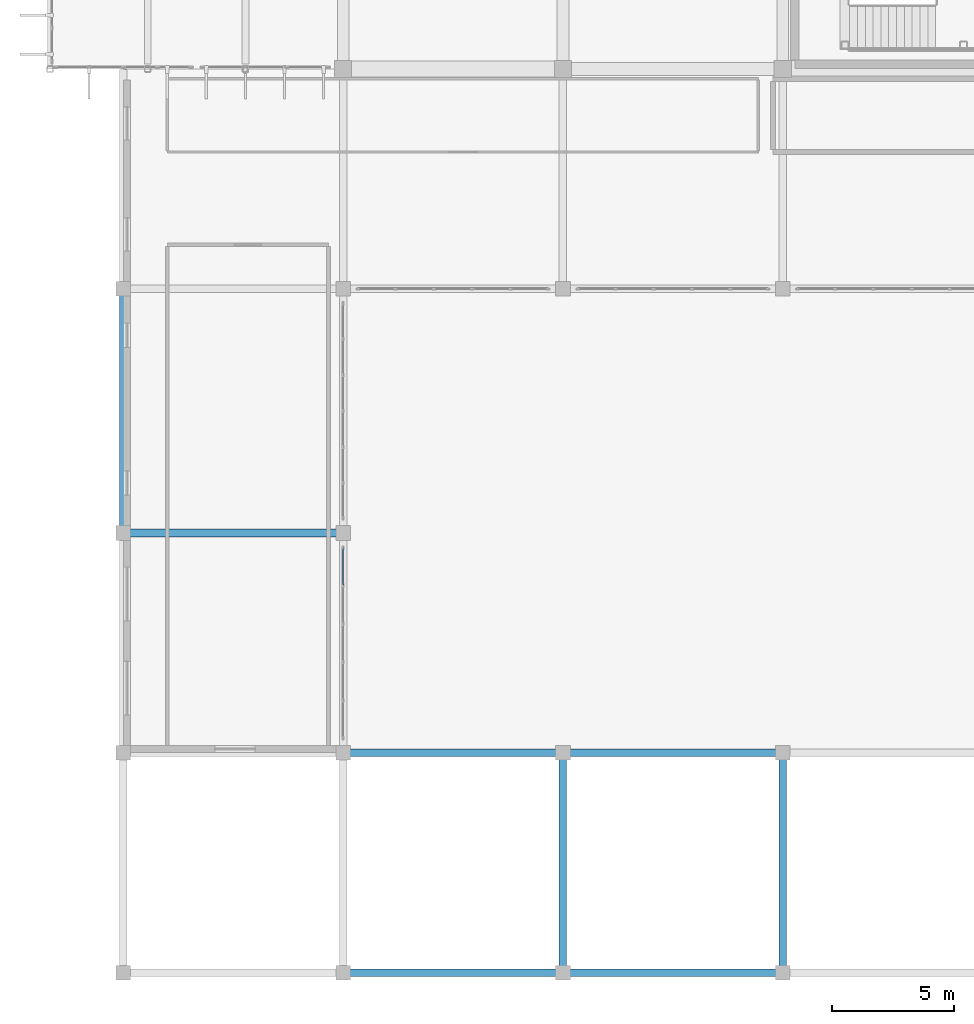
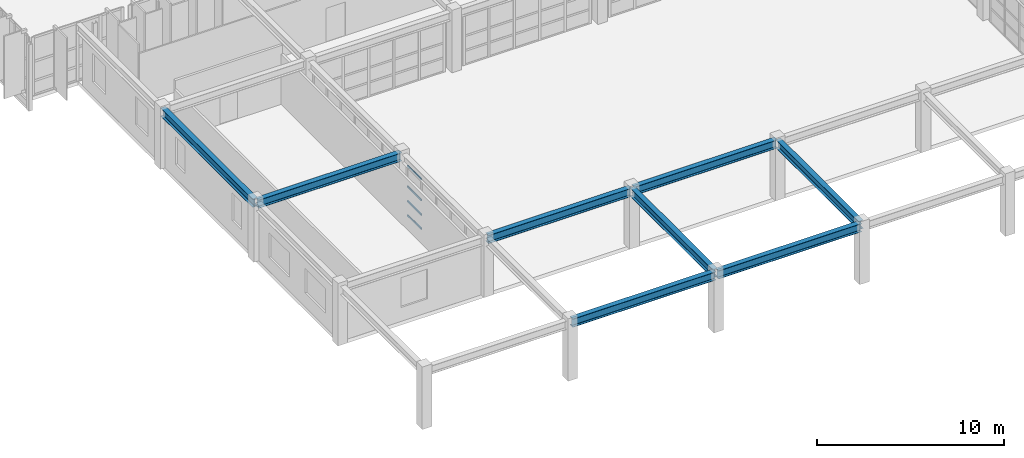
# One storey, part 12 of 110: 8 beams, 4 members, 1 element without a shape of its own.
"""IFC4 building model written with IfcOpenShell, lengths in metres."""

from ifc_helpers import new_model, si_unit, direction, frame, origin, origin_2d, place, context, subcontext, project, spatial, hollow_rectangle, i_section, extrude, material, material_profile, profile_set, type_object, element, aggregate, save


model = new_model("IFC4")

# Units and contexts
model_context = context("Model", 3, precision=1e-05, world=origin(), true_north=direction((0.0, 1.0)))
body_context = subcontext(model_context, "Body", "Model", "MODEL_VIEW")
ifc_project = project(units=[si_unit("LENGTHUNIT", "METRE"), si_unit("AREAUNIT", "SQUARE_METRE"), si_unit("VOLUMEUNIT", "CUBIC_METRE"), si_unit("PLANEANGLEUNIT", "RADIAN"), si_unit("MASSUNIT", "GRAM", prefix="KILO")], contexts=[model_context])

# Site, building, storey
site_placement = place(None, origin())
site = spatial("IfcSite", under=ifc_project, at=site_placement, CompositionType="ELEMENT")
building_placement = place(site_placement, origin())
building = spatial("IfcBuilding", under=site, at=building_placement, Name="Miravela Opera House", CompositionType="ELEMENT")
storey_placement = place(building_placement, frame((0.0, 0.0, 13.60009765625)))
storey = spatial("IfcBuildingStorey", under=building, at=storey_placement, Name="L03", CompositionType="ELEMENT", Elevation=13.60009765625)

# Curtain wall, members
ifc_material_1 = material(Name="Anodised architectural bronze aluminium 6063-T6", Category="aluminium")
curtain_wall_type = type_object("IfcCurtainWallType", Name="ARC-CW-06", PredefinedType="NOTDEFINED", material=ifc_material_1)
curtain_wall_placement = place(storey_placement, origin())
curtain_wall = element("IfcCurtainWall", 1, at=curtain_wall_placement, inside=storey, type_object=curtain_wall_type, Name="Courtyard Arcade Curtain Wall CW-L03-152", PredefinedType="NOTDEFINED")
ifc_material_profile_1 = material_profile(ifc_material_1, hollow_rectangle(XDim=0.06005859375, YDim=0.114990234375, WallThickness=0.00390625, InnerFilletRadius=0.001953125, OuterFilletRadius=0.00390625, at=origin_2d()), Name="CWT-60X115")
ifc_profile_set_1 = profile_set([ifc_material_profile_1])
member_type = type_object("IfcMemberType", Name="ARC-CWT-115", PredefinedType="USERDEFINED", material=ifc_profile_set_1)
member_1_placement = place(storey_placement, frame((27.0, 15.882080078125, 0.02978515625), z_axis=(0.0, 1.0, 0.0), x_axis=(-1.0, 0.0, 0.0)))
member_1 = element("IfcMember", 2, at=member_1_placement, type_object=member_type, Name="CW-06 transom 5.1", ObjectType="TRANSOM", PredefinedType="USERDEFINED", context=body_context, shape_type="SweptSolid", body=[
    extrude(hollow_rectangle(XDim=0.06005859375, YDim=0.114990234375, WallThickness=0.00390625, InnerFilletRadius=0.001953125, OuterFilletRadius=0.00390625, at=origin_2d()), origin(), (0.0, 0.0, 1.0), 1.47802734375),
])
member_2_placement = place(storey_placement, frame((27.0, 15.882080078125, 0.949951171875), z_axis=(0.0, 1.0, 0.0), x_axis=(-1.0, 0.0, 0.0)))
member_2 = element("IfcMember", 3, at=member_2_placement, type_object=member_type, Name="CW-06 transom 5.2", ObjectType="TRANSOM", PredefinedType="USERDEFINED", context=body_context, shape_type="SweptSolid", body=[
    extrude(hollow_rectangle(XDim=0.06005859375, YDim=0.114990234375, WallThickness=0.00390625, InnerFilletRadius=0.001953125, OuterFilletRadius=0.00390625, at=origin_2d()), origin(), (0.0, 0.0, 1.0), 1.47802734375),
])
member_3_placement = place(storey_placement, frame((27.0, 15.882080078125, 1.908203125), z_axis=(0.0, 1.0, 0.0), x_axis=(-1.0, 0.0, 0.0)))
member_3 = element("IfcMember", 4, at=member_3_placement, type_object=member_type, Name="CW-06 transom 5.3", ObjectType="TRANSOM", PredefinedType="USERDEFINED", context=body_context, shape_type="SweptSolid", body=[
    extrude(hollow_rectangle(XDim=0.06005859375, YDim=0.114990234375, WallThickness=0.00390625, InnerFilletRadius=0.001953125, OuterFilletRadius=0.00390625, at=origin_2d()), origin(), (0.0, 0.0, 1.0), 1.47802734375),
])
member_4_placement = place(storey_placement, frame((27.0, 15.882080078125, 3.260009765625), z_axis=(0.0, 1.0, 0.0), x_axis=(-1.0, 0.0, 0.0)))
member_4 = element("IfcMember", 5, at=member_4_placement, type_object=member_type, Name="CW-06 transom 5.4", ObjectType="TRANSOM", PredefinedType="USERDEFINED", context=body_context, shape_type="SweptSolid", body=[
    extrude(hollow_rectangle(XDim=0.06005859375, YDim=0.114990234375, WallThickness=0.00390625, InnerFilletRadius=0.001953125, OuterFilletRadius=0.00390625, at=origin_2d()), origin(), (0.0, 0.0, 1.0), 1.47802734375),
])
aggregate(curtain_wall, [member_1, member_2, member_3, member_4])

# Beams
ifc_material_2 = material(Name="Structural steel ASTM A992 Gr. 50", Category="steel")
ifc_material_profile_2 = material_profile(ifc_material_2, i_section(OverallWidth=0.31201171875, OverallDepth=0.54296875, WebThickness=0.0126953125, FlangeThickness=0.020263671875, FilletRadius=0.01611328125, at=origin_2d()), Name="W530X150")
ifc_profile_set_2 = profile_set([ifc_material_profile_2])
beam_type = type_object("IfcBeamType", Name="STR-BM-W530X150", PredefinedType="BEAM", material=ifc_profile_set_2)
for number, where, z_axis, x_axis, name in (
    (6, (27.080078125, 0.0, 3.568359375), (1.0, 0.0, 0.0), (0.0, 1.0, 0.0), "Roof Eave Girder ROOF-V4-WEST-S S2"),
    (7, (36.080078125, 0.0, 3.568359375), (1.0, 0.0, 0.0), (0.0, 1.0, 0.0), "Roof Eave Girder ROOF-V4-WEST-S S3"),
    (8, (27.080078125, 9.0, 3.568359375), (1.0, 0.0, 0.0), (0.0, 1.0, 0.0), "Roof Eave Girder ROOF-V4-WEST-S N2"),
    (9, (36.080078125, 9.0, 3.568359375), (1.0, 0.0, 0.0), (0.0, 1.0, 0.0), "Roof Eave Girder ROOF-V4-WEST-S N3"),
    (10, (36.0, 0.080078125, 3.568359375), (0.0, 1.0, 0.0), (-1.0, 0.0, 0.0), "Roof King-Post Transverse Tie Girder ROOF-V4-WEST-S T2.1"),
    (11, (45.0, 0.080078125, 3.568359375), (0.0, 1.0, 0.0), (-1.0, 0.0, 0.0), "Roof King-Post Transverse Tie Girder ROOF-V4-WEST-S T3.1"),
):
    element("IfcBeam", number, at=place(storey_placement, frame(where, z_axis=z_axis, x_axis=x_axis)), inside=storey, type_object=beam_type, Name=name, PredefinedType="BEAM", context=body_context, shape_type="SweptSolid", body=[
        extrude(i_section(OverallWidth=0.31201171875, OverallDepth=0.54296875, WebThickness=0.0126953125, FlangeThickness=0.020263671875, FilletRadius=0.01611328125, at=origin_2d()), origin(), (0.0, 0.0, 1.0), 8.83984375),
    ])
beam_1_placement = place(storey_placement, frame((18.0, 18.080078125, 3.568359375), z_axis=(0.0, 1.0, 0.0), x_axis=(-1.0, 0.0, 0.0)))
element("IfcBeam", 12, at=beam_1_placement, inside=storey, type_object=beam_type, Name="Roof Eave Girder ROOF-V4-WEST-M W2", PredefinedType="BEAM", context=body_context, shape_type="SweptSolid", body=[
    extrude(i_section(OverallWidth=0.31201171875, OverallDepth=0.54296875, WebThickness=0.0126953125, FlangeThickness=0.020263671875, FilletRadius=0.01611328125, at=origin_2d()), origin(), (0.0, 0.0, 1.0), 9.83984375),
])
beam_2_placement = place(storey_placement, frame((18.080078125, 18.0, 3.568359375), z_axis=(1.0, 0.0, 0.0), x_axis=(0.0, 1.0, 0.0)))
element("IfcBeam", 13, at=beam_2_placement, inside=storey, type_object=beam_type, Name="Roof King-Post Transverse Tie Girder ROOF-V4-WEST-M T1.1", PredefinedType="BEAM", context=body_context, shape_type="SweptSolid", body=[
    extrude(i_section(OverallWidth=0.31201171875, OverallDepth=0.54296875, WebThickness=0.0126953125, FlangeThickness=0.020263671875, FilletRadius=0.01611328125, at=origin_2d()), origin(), (0.0, 0.0, 1.0), 8.83984375),
])

save(model, "model.ifc")
